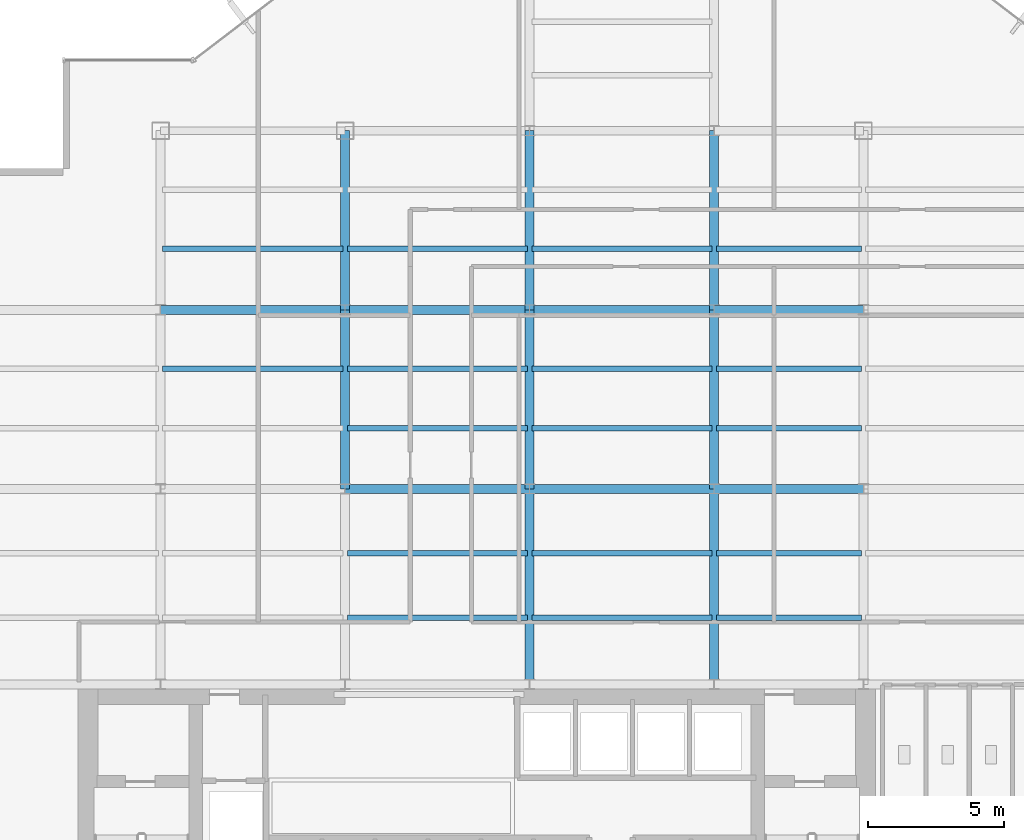
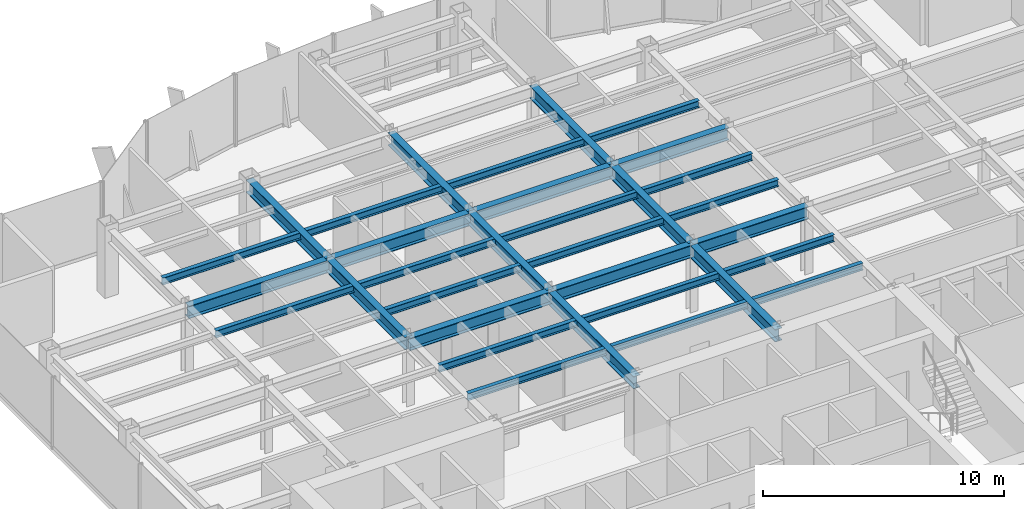
# One storey, part 8 of 25: 32 beams.
"""IFC4 building model written with IfcOpenShell, lengths in metres."""

from ifc_helpers import new_model, si_unit, derived_unit, direction, frame, origin, origin_2d, place, context, subcontext, project, spatial, i_section, extrude, source, transform, mapped, material, material_profile, profile_set, type_object, element, save


model = new_model("IFC4")

# Units and contexts
model_context = context("Model", 3, precision=1e-05, world=origin(), true_north=direction((0.0, 1.0)))
body_context = subcontext(model_context, "Body", "Model", "MODEL_VIEW")
ifc_project = project(units=[si_unit("LENGTHUNIT", "METRE"), si_unit("AREAUNIT", "SQUARE_METRE"), si_unit("VOLUMEUNIT", "CUBIC_METRE"), si_unit("PLANEANGLEUNIT", "RADIAN"), si_unit("MASSUNIT", "GRAM", prefix="KILO"), derived_unit("THERMALTRANSMITTANCEUNIT", [(si_unit("POWERUNIT", "WATT"), 1), (si_unit("LENGTHUNIT", "METRE"), -2), (si_unit("THERMODYNAMICTEMPERATUREUNIT", "KELVIN"), -1)])], contexts=[model_context])

# Site, building, storey
site_placement = place(None, origin())
site = spatial("IfcSite", under=ifc_project, at=site_placement, CompositionType="ELEMENT")
building_placement = place(site_placement, origin())
building = spatial("IfcBuilding", under=site, at=building_placement, Name="Skarnbrae Concourse Arena and Tower", CompositionType="ELEMENT")
storey_placement = place(building_placement, frame((0.0, 0.0, 144.25)))
storey = spatial("IfcBuildingStorey", under=building, at=storey_placement, Name="L36", CompositionType="ELEMENT", Elevation=144.25)

# Beams
ifc_material = material(Name="Steel CSA G40.21 350W", Category="steel")
ifc_material_profile_1 = material_profile(ifc_material, i_section(OverallWidth=0.3291015625, OverallDepth=0.635009765625, WebThickness=0.017822265625, FlangeThickness=0.031005859375, at=origin_2d()), Name="W610X241")
ifc_profile_set_1 = profile_set([ifc_material_profile_1], Name="Steel CSA G40.21 350W")
beam_type_1 = type_object("IfcBeamType", Name="BM-GIRD-W610X241", PredefinedType="BEAM", material=ifc_profile_set_1)
shared_shape_1 = source(origin(), body_context, "Body", "SweptSolid", [
    extrude(i_section(OverallWidth=0.3291015625, OverallDepth=0.635009765625, WebThickness=0.017822265625, FlangeThickness=0.031005859375, at=origin_2d()), origin(), (0.0, 0.0, 1.0), 6.60009765625),
])
for number, where, z_axis, x_axis, name in (
    (1, (14.39990234375, 21.199951171875, 3.08251953125), (0.0, 1.0, 0.0), (-1.0, 0.0, 0.0), "L36 Primary N-S girder X14.4-2"),
    (2, (21.199951171875, 21.199951171875, 3.08251953125), (0.0, 1.0, 0.0), (-1.0, 0.0, 0.0), "L36 Primary N-S girder X21.2-2"),
    (3, (28.0, 21.199951171875, 3.08251953125), (0.0, 1.0, 0.0), (-1.0, 0.0, 0.0), "L36 Primary N-S girder X28.0-2"),
):
    element("IfcBeam", number, at=place(storey_placement, frame(where, z_axis=z_axis, x_axis=x_axis)), inside=storey, type_object=beam_type_1, Name=name, PredefinedType="BEAM", context=body_context, shape_type="MappedRepresentation", body=[
        mapped(shared_shape_1, transform((0.0, 0.0, 0.0))),
    ])
shared_shape_2 = source(origin(), body_context, "Body", "SweptSolid", [
    extrude(i_section(OverallWidth=0.3291015625, OverallDepth=0.635009765625, WebThickness=0.017822265625, FlangeThickness=0.031005859375, at=origin_2d()), origin(), (0.0, 0.0, 1.0), 6.7998046875),
])
beam_placement = place(storey_placement, frame((7.60009765625, 27.800048828125, 3.08251953125), z_axis=(1.0, 0.0, 0.0), x_axis=(0.0, 1.0, 0.0)))
element("IfcBeam", 4, at=beam_placement, inside=storey, type_object=beam_type_1, Name="L36 Primary E-W girder Y27.8-2", PredefinedType="BEAM", context=body_context, shape_type="MappedRepresentation", body=[
    mapped(shared_shape_2, transform((0.0, 0.0, 0.0))),
])
shared_shape_3 = source(origin(), body_context, "Body", "SweptSolid", [
    extrude(i_section(OverallWidth=0.3291015625, OverallDepth=0.635009765625, WebThickness=0.017822265625, FlangeThickness=0.031005859375, at=origin_2d()), origin(), (0.0, 0.0, 1.0), 6.800048828125),
])
for number, where, z_axis, x_axis, name in (
    (5, (14.39990234375, 21.199951171875, 3.08251953125), (1.0, 0.0, 0.0), (0.0, 1.0, 0.0), "L36 Primary E-W girder Y21.2-3"),
    (6, (21.199951171875, 21.199951171875, 3.08251953125), (1.0, 0.0, 0.0), (0.0, 1.0, 0.0), "L36 Primary E-W girder Y21.2-4"),
    (7, (14.39990234375, 27.800048828125, 3.08251953125), (1.0, 0.0, 0.0), (0.0, 1.0, 0.0), "L36 Primary E-W girder Y27.8-3"),
    (8, (21.199951171875, 27.800048828125, 3.08251953125), (1.0, 0.0, 0.0), (0.0, 1.0, 0.0), "L36 Primary E-W girder Y27.8-4"),
):
    element("IfcBeam", number, at=place(storey_placement, frame(where, z_axis=z_axis, x_axis=x_axis)), inside=storey, type_object=beam_type_1, Name=name, PredefinedType="BEAM", context=body_context, shape_type="MappedRepresentation", body=[
        mapped(shared_shape_3, transform((0.0, 0.0, 0.0))),
    ])
shared_shape_4 = source(origin(), body_context, "Body", "SweptSolid", [
    extrude(i_section(OverallWidth=0.3291015625, OverallDepth=0.635009765625, WebThickness=0.017822265625, FlangeThickness=0.031005859375, at=origin_2d()), origin(), (0.0, 0.0, 1.0), 5.5),
])
for number, where, z_axis, x_axis, name in (
    (9, (28.0, 21.199951171875, 3.08251953125), (1.0, 0.0, 0.0), (0.0, 1.0, 0.0), "L36 Primary E-W girder Y21.2-5"),
    (10, (28.0, 27.800048828125, 3.08251953125), (1.0, 0.0, 0.0), (0.0, 1.0, 0.0), "L36 Primary E-W girder Y27.8-5"),
):
    element("IfcBeam", number, at=place(storey_placement, frame(where, z_axis=z_axis, x_axis=x_axis)), inside=storey, type_object=beam_type_1, Name=name, PredefinedType="BEAM", context=body_context, shape_type="MappedRepresentation", body=[
        mapped(shared_shape_4, transform((0.0, 0.0, 0.0))),
    ])
shared_shape_5 = source(origin(), body_context, "Body", "SweptSolid", [
    extrude(i_section(OverallWidth=0.3291015625, OverallDepth=0.635009765625, WebThickness=0.017822265625, FlangeThickness=0.031005859375, at=origin_2d()), origin(), (0.0, 0.0, 1.0), 7.199951171875),
])
for number, where, z_axis, x_axis, name in (
    (11, (21.199951171875, 14.0, 3.08251953125), (0.0, 1.0, 0.0), (-1.0, 0.0, 0.0), "L36 Primary N-S girder X21.2-1"),
    (12, (28.0, 14.0, 3.08251953125), (0.0, 1.0, 0.0), (-1.0, 0.0, 0.0), "L36 Primary N-S girder X28.0-1"),
):
    element("IfcBeam", number, at=place(storey_placement, frame(where, z_axis=z_axis, x_axis=x_axis)), inside=storey, type_object=beam_type_1, Name=name, PredefinedType="BEAM", context=body_context, shape_type="MappedRepresentation", body=[
        mapped(shared_shape_5, transform((0.0, 0.0, 0.0))),
    ])
shared_shape_6 = source(origin(), body_context, "Body", "SweptSolid", [
    extrude(i_section(OverallWidth=0.3291015625, OverallDepth=0.635009765625, WebThickness=0.017822265625, FlangeThickness=0.031005859375, at=origin_2d()), origin(), (0.0, 0.0, 1.0), 6.599853515625),
])
for number, where, z_axis, x_axis, name in (
    (13, (14.39990234375, 27.800048828125, 3.08251953125), (0.0, 1.0, 0.0), (-1.0, 0.0, 0.0), "L36 Primary N-S girder X14.4-3"),
    (14, (21.199951171875, 27.800048828125, 3.08251953125), (0.0, 1.0, 0.0), (-1.0, 0.0, 0.0), "L36 Primary N-S girder X21.2-3"),
    (15, (28.0, 27.800048828125, 3.08251953125), (0.0, 1.0, 0.0), (-1.0, 0.0, 0.0), "L36 Primary N-S girder X28.0-3"),
):
    element("IfcBeam", number, at=place(storey_placement, frame(where, z_axis=z_axis, x_axis=x_axis)), inside=storey, type_object=beam_type_1, Name=name, PredefinedType="BEAM", context=body_context, shape_type="MappedRepresentation", body=[
        mapped(shared_shape_6, transform((0.0, 0.0, 0.0))),
    ])
ifc_material_profile_2 = material_profile(ifc_material, i_section(OverallWidth=0.205078125, OverallDepth=0.35400390625, WebThickness=0.009521484375, FlangeThickness=0.016845703125, at=origin_2d()), Name="W360X79")
ifc_profile_set_2 = profile_set([ifc_material_profile_2], Name="Steel CSA G40.21 350W")
beam_type_2 = type_object("IfcBeamType", Name="BM-JOIST-W360X79", PredefinedType="JOIST", material=ifc_profile_set_2)
shared_shape_7 = source(origin(), body_context, "Body", "SweptSolid", [
    extrude(i_section(OverallWidth=0.205078125, OverallDepth=0.35400390625, WebThickness=0.009521484375, FlangeThickness=0.016845703125, at=origin_2d()), origin(), (0.0, 0.0, 1.0), 6.64013671875),
])
for number, where, z_axis, x_axis, name in (
    (16, (14.47998046875, 16.447998046875, 3.222900390625), (1.0, 0.0, 0.0), (0.0, 1.0, 0.0), "L36 Secondary floor joist 1.1.3"),
    (17, (14.47998046875, 18.823974609375, 3.222900390625), (1.0, 0.0, 0.0), (0.0, 1.0, 0.0), "L36 Secondary floor joist 1.2.3"),
    (18, (14.47998046875, 23.444091796875, 3.222900390625), (1.0, 0.0, 0.0), (0.0, 1.0, 0.0), "L36 Secondary floor joist 2.1.3"),
    (19, (7.679931640625, 25.6220703125, 3.222900390625), (1.0, 0.0, 0.0), (0.0, 1.0, 0.0), "L36 Secondary floor joist 2.2.2"),
    (20, (14.47998046875, 25.6220703125, 3.222900390625), (1.0, 0.0, 0.0), (0.0, 1.0, 0.0), "L36 Secondary floor joist 2.2.3"),
    (21, (7.679931640625, 30.0439453125, 3.222900390625), (1.0, 0.0, 0.0), (0.0, 1.0, 0.0), "L36 Secondary floor joist 3.1.1"),
    (22, (14.47998046875, 30.0439453125, 3.222900390625), (1.0, 0.0, 0.0), (0.0, 1.0, 0.0), "L36 Secondary floor joist 3.1.2"),
):
    element("IfcBeam", number, at=place(storey_placement, frame(where, z_axis=z_axis, x_axis=x_axis)), inside=storey, type_object=beam_type_2, Name=name, PredefinedType="JOIST", context=body_context, shape_type="MappedRepresentation", body=[
        mapped(shared_shape_7, transform((0.0, 0.0, 0.0))),
    ])
shared_shape_8 = source(origin(), body_context, "Body", "SweptSolid", [
    extrude(i_section(OverallWidth=0.205078125, OverallDepth=0.35400390625, WebThickness=0.009521484375, FlangeThickness=0.016845703125, at=origin_2d()), origin(), (0.0, 0.0, 1.0), 6.639892578125),
])
for number, where, z_axis, x_axis, name in (
    (23, (21.280029296875, 16.447998046875, 3.222900390625), (1.0, 0.0, 0.0), (0.0, 1.0, 0.0), "L36 Secondary floor joist 1.1.4"),
    (24, (21.280029296875, 18.823974609375, 3.222900390625), (1.0, 0.0, 0.0), (0.0, 1.0, 0.0), "L36 Secondary floor joist 1.2.4"),
    (25, (21.280029296875, 23.444091796875, 3.222900390625), (1.0, 0.0, 0.0), (0.0, 1.0, 0.0), "L36 Secondary floor joist 2.1.4"),
    (26, (21.280029296875, 25.6220703125, 3.222900390625), (1.0, 0.0, 0.0), (0.0, 1.0, 0.0), "L36 Secondary floor joist 2.2.4"),
    (27, (21.280029296875, 30.0439453125, 3.222900390625), (1.0, 0.0, 0.0), (0.0, 1.0, 0.0), "L36 Secondary floor joist 3.1.3"),
):
    element("IfcBeam", number, at=place(storey_placement, frame(where, z_axis=z_axis, x_axis=x_axis)), inside=storey, type_object=beam_type_2, Name=name, PredefinedType="JOIST", context=body_context, shape_type="MappedRepresentation", body=[
        mapped(shared_shape_8, transform((0.0, 0.0, 0.0))),
    ])
shared_shape_9 = source(origin(), body_context, "Body", "SweptSolid", [
    extrude(i_section(OverallWidth=0.205078125, OverallDepth=0.35400390625, WebThickness=0.009521484375, FlangeThickness=0.016845703125, at=origin_2d()), origin(), (0.0, 0.0, 1.0), 5.33984375),
])
for number, where, z_axis, x_axis, name in (
    (28, (28.080078125, 16.447998046875, 3.222900390625), (1.0, 0.0, 0.0), (0.0, 1.0, 0.0), "L36 Secondary floor joist 1.1.5"),
    (29, (28.080078125, 18.823974609375, 3.222900390625), (1.0, 0.0, 0.0), (0.0, 1.0, 0.0), "L36 Secondary floor joist 1.2.5"),
    (30, (28.080078125, 23.444091796875, 3.222900390625), (1.0, 0.0, 0.0), (0.0, 1.0, 0.0), "L36 Secondary floor joist 2.1.5"),
    (31, (28.080078125, 25.6220703125, 3.222900390625), (1.0, 0.0, 0.0), (0.0, 1.0, 0.0), "L36 Secondary floor joist 2.2.5"),
    (32, (28.080078125, 30.0439453125, 3.222900390625), (1.0, 0.0, 0.0), (0.0, 1.0, 0.0), "L36 Secondary floor joist 3.1.4"),
):
    element("IfcBeam", number, at=place(storey_placement, frame(where, z_axis=z_axis, x_axis=x_axis)), inside=storey, type_object=beam_type_2, Name=name, PredefinedType="JOIST", context=body_context, shape_type="MappedRepresentation", body=[
        mapped(shared_shape_9, transform((0.0, 0.0, 0.0))),
    ])

save(model, "model.ifc")
